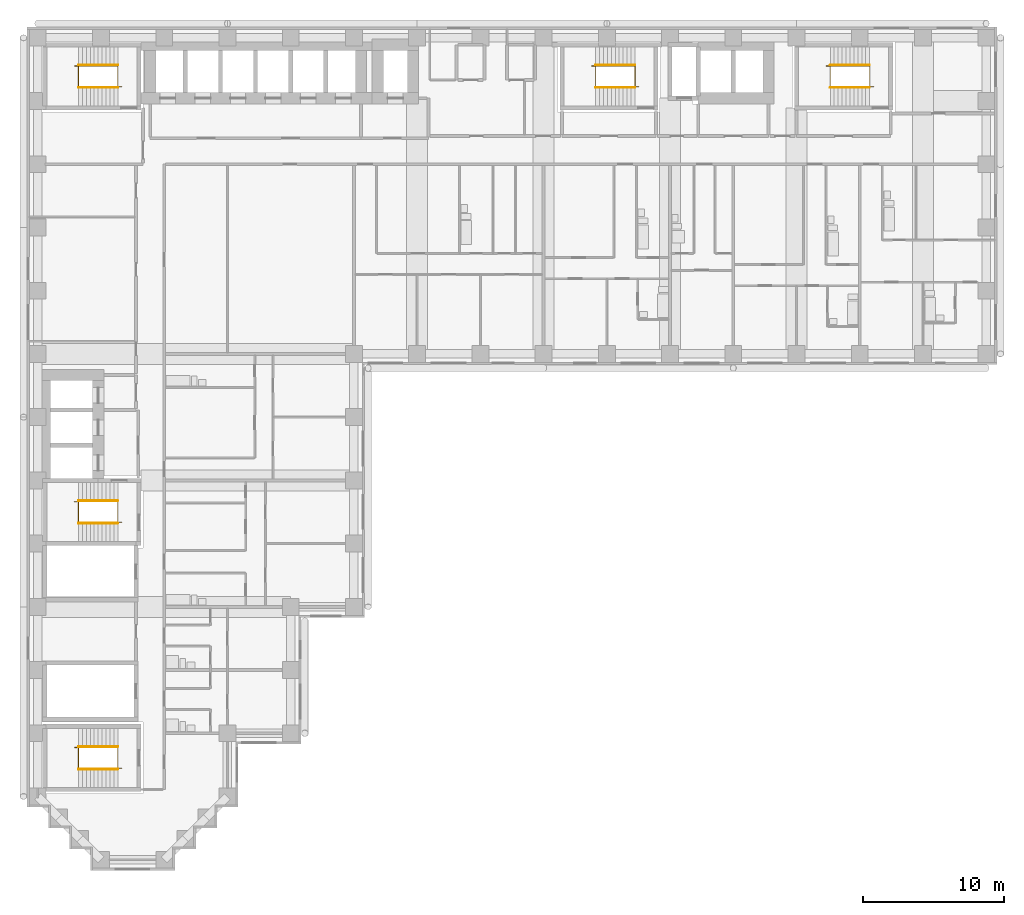
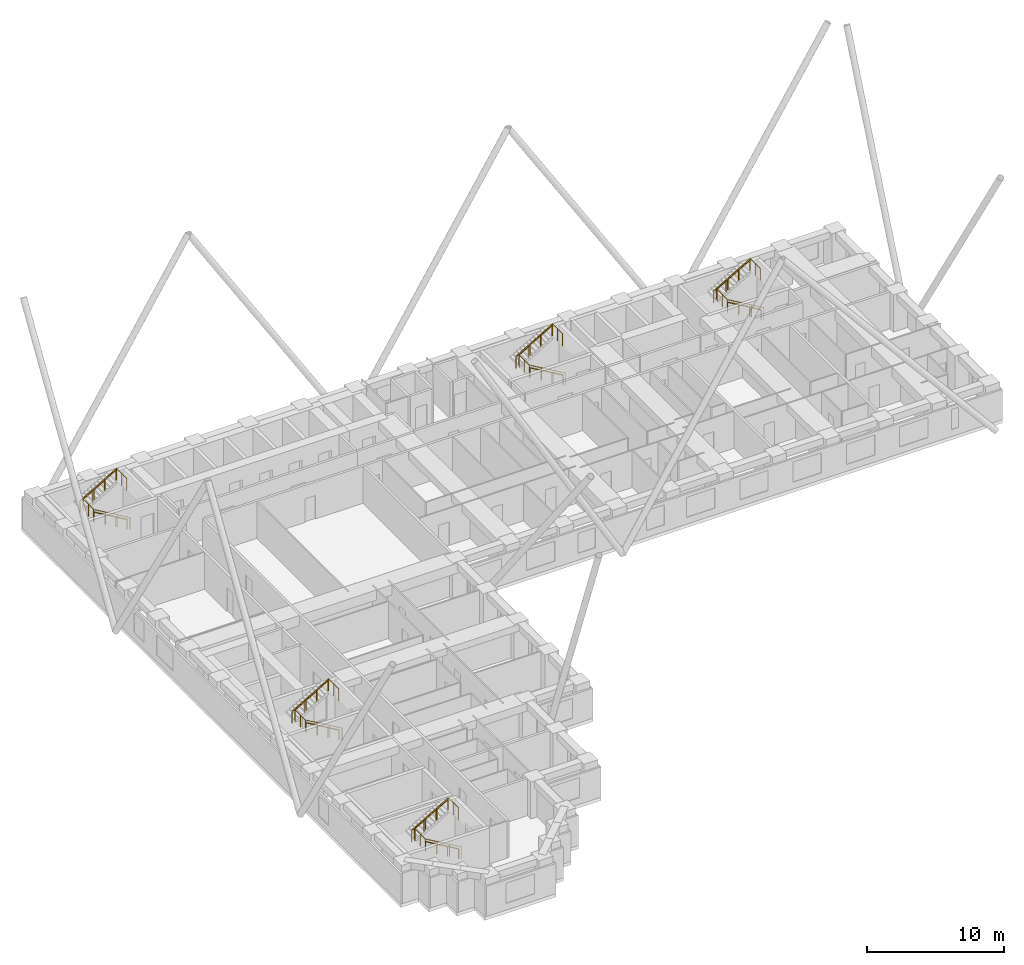
# One storey, part 12 of 13: 15 railings.
"""IFC4 building model written with IfcOpenShell, lengths in metres."""

from ifc_helpers import new_model, si_unit, direction, frame, origin, origin_2d, place, context, subcontext, project, spatial, circle, extrude, material, type_object, element, save


model = new_model("IFC4")

# Units and contexts
model_context = context("Model", 3, precision=1e-05, world=origin(), true_north=direction((0.0, 1.0)))
body_context = subcontext(model_context, "Body", "Model", "MODEL_VIEW")
ifc_project = project(units=[si_unit("LENGTHUNIT", "METRE"), si_unit("AREAUNIT", "SQUARE_METRE"), si_unit("VOLUMEUNIT", "CUBIC_METRE"), si_unit("PLANEANGLEUNIT", "RADIAN"), si_unit("MASSUNIT", "GRAM", prefix="KILO")], contexts=[model_context])

# Site, building, storey
site_placement = place(None, origin())
site = spatial("IfcSite", under=ifc_project, at=site_placement, CompositionType="ELEMENT")
building_placement = place(site_placement, origin())
building = spatial("IfcBuilding", under=site, at=building_placement, Name="Firuza Court", CompositionType="ELEMENT")
storey_placement = place(building_placement, frame((0.0, 0.0, 72.199951171875)))
storey = spatial("IfcBuildingStorey", under=building, at=storey_placement, Name="L17", CompositionType="ELEMENT", Elevation=72.199951171875)

# Railings
ifc_material_1 = material(Name="Steel S355", Category="steel")
railing_type_1 = type_object("IfcRailingType", Name="Handrail 900", PredefinedType="HANDRAIL", material=ifc_material_1)
railing_1_placement = place(storey_placement, frame((42.5, 54.949951171875, 0.16357421875)))
element("IfcRailing", 1, at=railing_1_placement, inside=storey, type_object=railing_type_1, Name="Handrail S1 flight 1", PredefinedType="HANDRAIL", context=body_context, shape_type="SweptSolid", body=[
    extrude(circle(Radius=0.02490234375, at=origin_2d()), frame((0.0, 0.0, 0.875), z_axis=(-0.863360870873, 0.0, 0.504586966384), x_axis=(0.0, -1.0, 0.0)), (0.0, 0.0, 1.0), 3.2431640625),
    extrude(circle(Radius=0.02001953125, at=origin_2d()), origin(), (0.0, 0.0, 1.0), 0.849853515625),
    extrude(circle(Radius=0.02001953125, at=origin_2d()), frame((-0.933349609375, 0.0, 0.54541015625)), (0.0, 0.0, 1.0), 0.849853515625),
    extrude(circle(Radius=0.02001953125, at=origin_2d()), frame((-1.86669921875, 0.0, 1.091064453125)), (0.0, 0.0, 1.0), 0.849853515625),
    extrude(circle(Radius=0.02001953125, at=origin_2d()), frame((-2.800048828125, 0.0, 1.636474609375)), (0.0, 0.0, 1.0), 0.849853515625),
])
railing_2_placement = place(storey_placement, frame((39.699951171875, 56.550048828125, 1.963623046875)))
element("IfcRailing", 2, at=railing_2_placement, inside=storey, type_object=railing_type_1, Name="Handrail S1 flight 2", PredefinedType="HANDRAIL", context=body_context, shape_type="SweptSolid", body=[
    extrude(circle(Radius=0.02490234375, at=origin_2d()), frame((0.0, 0.0, 0.875), z_axis=(0.863360870873, 0.0, 0.504586966384), x_axis=(0.0, 1.0, 0.0)), (0.0, 0.0, 1.0), 3.2431640625),
    extrude(circle(Radius=0.02001953125, at=origin_2d()), origin(), (0.0, 0.0, 1.0), 0.849853515625),
    extrude(circle(Radius=0.02001953125, at=origin_2d()), frame((0.933349609375, 0.0, 0.54541015625)), (0.0, 0.0, 1.0), 0.849853515625),
    extrude(circle(Radius=0.02001953125, at=origin_2d()), frame((1.86669921875, 0.0, 1.091064453125)), (0.0, 0.0, 1.0), 0.849853515625),
    extrude(circle(Radius=0.02001953125, at=origin_2d()), frame((2.800048828125, 0.0, 1.636474609375)), (0.0, 0.0, 1.0), 0.849853515625),
])
railing_3_placement = place(storey_placement, frame((5.699951171875, 23.949951171875, 0.16357421875)))
element("IfcRailing", 3, at=railing_3_placement, inside=storey, type_object=railing_type_1, Name="Handrail S2 flight 1", PredefinedType="HANDRAIL", context=body_context, shape_type="SweptSolid", body=[
    extrude(circle(Radius=0.02490234375, at=origin_2d()), frame((0.0, 0.0, 0.875), z_axis=(-0.863360870873, 0.0, 0.504586966384), x_axis=(0.0, -1.0, 0.0)), (0.0, 0.0, 1.0), 3.2431640625),
    extrude(circle(Radius=0.02001953125, at=origin_2d()), origin(), (0.0, 0.0, 1.0), 0.849853515625),
    extrude(circle(Radius=0.02001953125, at=origin_2d()), frame((-0.933349609375, 0.0, 0.54541015625)), (0.0, 0.0, 1.0), 0.849853515625),
    extrude(circle(Radius=0.02001953125, at=origin_2d()), frame((-1.86669921875, 0.0, 1.091064453125)), (0.0, 0.0, 1.0), 0.849853515625),
    extrude(circle(Radius=0.02001953125, at=origin_2d()), frame((-2.800048828125, 0.0, 1.636474609375)), (0.0, 0.0, 1.0), 0.849853515625),
])
railing_4_placement = place(storey_placement, frame((2.89990234375, 25.550048828125, 1.963623046875)))
element("IfcRailing", 4, at=railing_4_placement, inside=storey, type_object=railing_type_1, Name="Handrail S2 flight 2", PredefinedType="HANDRAIL", context=body_context, shape_type="SweptSolid", body=[
    extrude(circle(Radius=0.02490234375, at=origin_2d()), frame((0.0, 0.0, 0.875), z_axis=(0.863360870873, 0.0, 0.504586966384), x_axis=(0.0, 1.0, 0.0)), (0.0, 0.0, 1.0), 3.2431640625),
    extrude(circle(Radius=0.02001953125, at=origin_2d()), origin(), (0.0, 0.0, 1.0), 0.849853515625),
    extrude(circle(Radius=0.02001953125, at=origin_2d()), frame((0.933349609375, 0.0, 0.54541015625)), (0.0, 0.0, 1.0), 0.849853515625),
    extrude(circle(Radius=0.02001953125, at=origin_2d()), frame((1.86669921875, 0.0, 1.091064453125)), (0.0, 0.0, 1.0), 0.849853515625),
    extrude(circle(Radius=0.02001953125, at=origin_2d()), frame((2.800048828125, 0.0, 1.636474609375)), (0.0, 0.0, 1.0), 0.849853515625),
])
railing_5_placement = place(storey_placement, frame((5.699951171875, 54.949951171875, 0.16357421875)))
element("IfcRailing", 5, at=railing_5_placement, inside=storey, type_object=railing_type_1, Name="Handrail S3 flight 1", PredefinedType="HANDRAIL", context=body_context, shape_type="SweptSolid", body=[
    extrude(circle(Radius=0.02490234375, at=origin_2d()), frame((0.0, 0.0, 0.875), z_axis=(-0.863360870873, 0.0, 0.504586966384), x_axis=(0.0, -1.0, 0.0)), (0.0, 0.0, 1.0), 3.2431640625),
    extrude(circle(Radius=0.02001953125, at=origin_2d()), origin(), (0.0, 0.0, 1.0), 0.849853515625),
    extrude(circle(Radius=0.02001953125, at=origin_2d()), frame((-0.933349609375, 0.0, 0.54541015625)), (0.0, 0.0, 1.0), 0.849853515625),
    extrude(circle(Radius=0.02001953125, at=origin_2d()), frame((-1.86669921875, 0.0, 1.091064453125)), (0.0, 0.0, 1.0), 0.849853515625),
    extrude(circle(Radius=0.02001953125, at=origin_2d()), frame((-2.800048828125, 0.0, 1.636474609375)), (0.0, 0.0, 1.0), 0.849853515625),
])
railing_6_placement = place(storey_placement, frame((2.89990234375, 56.550048828125, 1.963623046875)))
element("IfcRailing", 6, at=railing_6_placement, inside=storey, type_object=railing_type_1, Name="Handrail S3 flight 2", PredefinedType="HANDRAIL", context=body_context, shape_type="SweptSolid", body=[
    extrude(circle(Radius=0.02490234375, at=origin_2d()), frame((0.0, 0.0, 0.875), z_axis=(0.863360870873, 0.0, 0.504586966384), x_axis=(0.0, 1.0, 0.0)), (0.0, 0.0, 1.0), 3.2431640625),
    extrude(circle(Radius=0.02001953125, at=origin_2d()), origin(), (0.0, 0.0, 1.0), 0.849853515625),
    extrude(circle(Radius=0.02001953125, at=origin_2d()), frame((0.933349609375, 0.0, 0.54541015625)), (0.0, 0.0, 1.0), 0.849853515625),
    extrude(circle(Radius=0.02001953125, at=origin_2d()), frame((1.86669921875, 0.0, 1.091064453125)), (0.0, 0.0, 1.0), 0.849853515625),
    extrude(circle(Radius=0.02001953125, at=origin_2d()), frame((2.800048828125, 0.0, 1.636474609375)), (0.0, 0.0, 1.0), 0.849853515625),
])
railing_7_placement = place(storey_placement, frame((59.199951171875, 54.949951171875, 0.16357421875)))
element("IfcRailing", 7, at=railing_7_placement, inside=storey, type_object=railing_type_1, Name="Handrail S4 flight 1", PredefinedType="HANDRAIL", context=body_context, shape_type="SweptSolid", body=[
    extrude(circle(Radius=0.02490234375, at=origin_2d()), frame((0.0, 0.0, 0.875), z_axis=(-0.863360870873, 0.0, 0.504586966384), x_axis=(0.0, -1.0, 0.0)), (0.0, 0.0, 1.0), 3.2431640625),
    extrude(circle(Radius=0.02001953125, at=origin_2d()), origin(), (0.0, 0.0, 1.0), 0.849853515625),
    extrude(circle(Radius=0.02001953125, at=origin_2d()), frame((-0.933349609375, 0.0, 0.54541015625)), (0.0, 0.0, 1.0), 0.849853515625),
    extrude(circle(Radius=0.02001953125, at=origin_2d()), frame((-1.86669921875, 0.0, 1.091064453125)), (0.0, 0.0, 1.0), 0.849853515625),
    extrude(circle(Radius=0.02001953125, at=origin_2d()), frame((-2.800048828125, 0.0, 1.636474609375)), (0.0, 0.0, 1.0), 0.849853515625),
])
railing_8_placement = place(storey_placement, frame((56.39990234375, 56.550048828125, 1.963623046875)))
element("IfcRailing", 8, at=railing_8_placement, inside=storey, type_object=railing_type_1, Name="Handrail S4 flight 2", PredefinedType="HANDRAIL", context=body_context, shape_type="SweptSolid", body=[
    extrude(circle(Radius=0.02490234375, at=origin_2d()), frame((0.0, 0.0, 0.875), z_axis=(0.863360870873, 0.0, 0.504586966384), x_axis=(0.0, 1.0, 0.0)), (0.0, 0.0, 1.0), 3.2431640625),
    extrude(circle(Radius=0.02001953125, at=origin_2d()), origin(), (0.0, 0.0, 1.0), 0.849853515625),
    extrude(circle(Radius=0.02001953125, at=origin_2d()), frame((0.933349609375, 0.0, 0.54541015625)), (0.0, 0.0, 1.0), 0.849853515625),
    extrude(circle(Radius=0.02001953125, at=origin_2d()), frame((1.86669921875, 0.0, 1.091064453125)), (0.0, 0.0, 1.0), 0.849853515625),
    extrude(circle(Radius=0.02001953125, at=origin_2d()), frame((2.800048828125, 0.0, 1.636474609375)), (0.0, 0.0, 1.0), 0.849853515625),
])
railing_9_placement = place(storey_placement, frame((5.699951171875, 6.449951171875, 0.16357421875)))
element("IfcRailing", 9, at=railing_9_placement, inside=storey, type_object=railing_type_1, Name="Handrail S5 flight 1", PredefinedType="HANDRAIL", context=body_context, shape_type="SweptSolid", body=[
    extrude(circle(Radius=0.02490234375, at=origin_2d()), frame((0.0, 0.0, 0.875), z_axis=(-0.863360870873, 0.0, 0.504586966384), x_axis=(0.0, -1.0, 0.0)), (0.0, 0.0, 1.0), 3.2431640625),
    extrude(circle(Radius=0.02001953125, at=origin_2d()), origin(), (0.0, 0.0, 1.0), 0.849853515625),
    extrude(circle(Radius=0.02001953125, at=origin_2d()), frame((-0.933349609375, 0.0, 0.54541015625)), (0.0, 0.0, 1.0), 0.849853515625),
    extrude(circle(Radius=0.02001953125, at=origin_2d()), frame((-1.86669921875, 0.0, 1.091064453125)), (0.0, 0.0, 1.0), 0.849853515625),
    extrude(circle(Radius=0.02001953125, at=origin_2d()), frame((-2.800048828125, 0.0, 1.636474609375)), (0.0, 0.0, 1.0), 0.849853515625),
])
railing_10_placement = place(storey_placement, frame((2.89990234375, 8.050048828125, 1.963623046875)))
element("IfcRailing", 10, at=railing_10_placement, inside=storey, type_object=railing_type_1, Name="Handrail S5 flight 2", PredefinedType="HANDRAIL", context=body_context, shape_type="SweptSolid", body=[
    extrude(circle(Radius=0.02490234375, at=origin_2d()), frame((0.0, 0.0, 0.875), z_axis=(0.863360870873, 0.0, 0.504586966384), x_axis=(0.0, 1.0, 0.0)), (0.0, 0.0, 1.0), 3.2431640625),
    extrude(circle(Radius=0.02001953125, at=origin_2d()), origin(), (0.0, 0.0, 1.0), 0.849853515625),
    extrude(circle(Radius=0.02001953125, at=origin_2d()), frame((0.933349609375, 0.0, 0.54541015625)), (0.0, 0.0, 1.0), 0.849853515625),
    extrude(circle(Radius=0.02001953125, at=origin_2d()), frame((1.86669921875, 0.0, 1.091064453125)), (0.0, 0.0, 1.0), 0.849853515625),
    extrude(circle(Radius=0.02001953125, at=origin_2d()), frame((2.800048828125, 0.0, 1.636474609375)), (0.0, 0.0, 1.0), 0.849853515625),
])
ifc_material_2 = material(Name="Steel S355", Category="steel")
railing_type_2 = type_object("IfcRailingType", Name="Stair guard 1100", PredefinedType="GUARDRAIL", material=ifc_material_2)
railing_11_placement = place(storey_placement, frame((42.780029296875, 55.010009765625, 0.0)))
element("IfcRailing", 11, at=railing_11_placement, inside=storey, type_object=railing_type_2, Name="Stair well guard S1", PredefinedType="GUARDRAIL", context=body_context, shape_type="SweptSolid", body=[
    extrude(circle(Radius=0.02490234375, at=origin_2d()), frame((0.0, 0.0, 1.0751953125), z_axis=(-0.863371556955, 0.0, 0.504568681787), x_axis=(0.0, -1.0, 0.0)), (0.0, 0.0, 1.0), 3.5673828125),
    extrude(circle(Radius=0.02490234375, at=origin_2d()), frame((-3.080078125, 0.0, 2.875), z_axis=(0.0, 1.0, 0.0), x_axis=(-1.0, 0.0, 0.0)), (0.0, 0.0, 1.0), 1.47998046875),
    extrude(circle(Radius=0.02490234375, at=origin_2d()), frame((-3.080078125, 1.47998046875, 2.875), z_axis=(-1.0, 0.0, 0.0), x_axis=(0.0, -1.0, 0.0)), (0.0, 0.0, 1.0), 0.280029296875),
    extrude(circle(Radius=0.02490234375, at=origin_2d()), frame((-3.360107421875, 1.47998046875, 2.875), z_axis=(0.863371556955, 0.0, 0.504568681787), x_axis=(0.0, 1.0, 0.0)), (0.0, 0.0, 1.0), 3.5673828125),
    extrude(circle(Radius=0.02490234375, at=origin_2d()), frame((-0.280029296875, 1.47998046875, 4.67529296875), z_axis=(0.0, -1.0, 0.0), x_axis=(1.0, 0.0, 0.0)), (0.0, 0.0, 1.0), 1.47998046875),
    extrude(circle(Radius=0.02490234375, at=origin_2d()), origin(), (0.0, 0.0, 1.0), 1.050048828125),
    extrude(circle(Radius=0.02490234375, at=origin_2d()), frame((-1.026611328125, 0.0, 0.60009765625)), (0.0, 0.0, 1.0), 1.050048828125),
    extrude(circle(Radius=0.02490234375, at=origin_2d()), frame((-2.053466796875, 0.0, 1.199951171875)), (0.0, 0.0, 1.0), 1.050048828125),
    extrude(circle(Radius=0.02490234375, at=origin_2d()), frame((-3.080078125, 0.0, 1.800048828125)), (0.0, 0.0, 1.0), 1.050048828125),
    extrude(circle(Radius=0.02490234375, at=origin_2d()), frame((-3.080078125, 0.739990234375, 1.800048828125)), (0.0, 0.0, 1.0), 1.050048828125),
    extrude(circle(Radius=0.02490234375, at=origin_2d()), frame((-3.080078125, 1.47998046875, 1.800048828125)), (0.0, 0.0, 1.0), 1.050048828125),
    extrude(circle(Radius=0.02490234375, at=origin_2d()), frame((-3.360107421875, 1.47998046875, 1.800048828125)), (0.0, 0.0, 1.0), 1.050048828125),
    extrude(circle(Radius=0.02490234375, at=origin_2d()), frame((-2.33349609375, 1.47998046875, 2.400146484375)), (0.0, 0.0, 1.0), 1.050048828125),
    extrude(circle(Radius=0.02490234375, at=origin_2d()), frame((-1.306640625, 1.47998046875, 3.0)), (0.0, 0.0, 1.0), 1.050048828125),
    extrude(circle(Radius=0.02490234375, at=origin_2d()), frame((-0.280029296875, 1.47998046875, 3.60009765625)), (0.0, 0.0, 1.0), 1.050048828125),
    extrude(circle(Radius=0.02490234375, at=origin_2d()), frame((-0.280029296875, 0.739990234375, 3.60009765625)), (0.0, 0.0, 1.0), 1.050048828125),
    extrude(circle(Radius=0.02490234375, at=origin_2d()), frame((-0.280029296875, 0.0, 3.60009765625)), (0.0, 0.0, 1.0), 1.050048828125),
])
railing_12_placement = place(storey_placement, frame((5.97998046875, 24.010009765625, 0.0)))
element("IfcRailing", 12, at=railing_12_placement, inside=storey, type_object=railing_type_2, Name="Stair well guard S2", PredefinedType="GUARDRAIL", context=body_context, shape_type="SweptSolid", body=[
    extrude(circle(Radius=0.02490234375, at=origin_2d()), frame((0.0, 0.0, 1.0751953125), z_axis=(-0.863371556955, 0.0, 0.504568681787), x_axis=(0.0, -1.0, 0.0)), (0.0, 0.0, 1.0), 3.5673828125),
    extrude(circle(Radius=0.02490234375, at=origin_2d()), frame((-3.080078125, 0.0, 2.875), z_axis=(0.0, 1.0, 0.0), x_axis=(-1.0, 0.0, 0.0)), (0.0, 0.0, 1.0), 1.47998046875),
    extrude(circle(Radius=0.02490234375, at=origin_2d()), frame((-3.080078125, 1.47998046875, 2.875), z_axis=(-1.0, 0.0, 0.0), x_axis=(0.0, -1.0, 0.0)), (0.0, 0.0, 1.0), 0.27978515625),
    extrude(circle(Radius=0.02490234375, at=origin_2d()), frame((-3.35986328125, 1.47998046875, 2.875), z_axis=(0.863354132664, 0.0, 0.504598495452), x_axis=(0.0, 1.0, 0.0)), (0.0, 0.0, 1.0), 3.5673828125),
    extrude(circle(Radius=0.02490234375, at=origin_2d()), frame((-0.280029296875, 1.47998046875, 4.67529296875), z_axis=(0.0, -1.0, 0.0), x_axis=(1.0, 0.0, 0.0)), (0.0, 0.0, 1.0), 1.47998046875),
    extrude(circle(Radius=0.02490234375, at=origin_2d()), origin(), (0.0, 0.0, 1.0), 1.050048828125),
    extrude(circle(Radius=0.02490234375, at=origin_2d()), frame((-1.026611328125, 0.0, 0.60009765625)), (0.0, 0.0, 1.0), 1.050048828125),
    extrude(circle(Radius=0.02490234375, at=origin_2d()), frame((-2.053466796875, 0.0, 1.199951171875)), (0.0, 0.0, 1.0), 1.050048828125),
    extrude(circle(Radius=0.02490234375, at=origin_2d()), frame((-3.080078125, 0.0, 1.800048828125)), (0.0, 0.0, 1.0), 1.050048828125),
    extrude(circle(Radius=0.02490234375, at=origin_2d()), frame((-3.080078125, 0.739990234375, 1.800048828125)), (0.0, 0.0, 1.0), 1.050048828125),
    extrude(circle(Radius=0.02490234375, at=origin_2d()), frame((-3.080078125, 1.47998046875, 1.800048828125)), (0.0, 0.0, 1.0), 1.050048828125),
    extrude(circle(Radius=0.02490234375, at=origin_2d()), frame((-3.35986328125, 1.47998046875, 1.800048828125)), (0.0, 0.0, 1.0), 1.050048828125),
    extrude(circle(Radius=0.02490234375, at=origin_2d()), frame((-2.333251953125, 1.47998046875, 2.400146484375)), (0.0, 0.0, 1.0), 1.050048828125),
    extrude(circle(Radius=0.02490234375, at=origin_2d()), frame((-1.306640625, 1.47998046875, 3.0)), (0.0, 0.0, 1.0), 1.050048828125),
    extrude(circle(Radius=0.02490234375, at=origin_2d()), frame((-0.280029296875, 1.47998046875, 3.60009765625)), (0.0, 0.0, 1.0), 1.050048828125),
    extrude(circle(Radius=0.02490234375, at=origin_2d()), frame((-0.280029296875, 0.739990234375, 3.60009765625)), (0.0, 0.0, 1.0), 1.050048828125),
    extrude(circle(Radius=0.02490234375, at=origin_2d()), frame((-0.280029296875, 0.0, 3.60009765625)), (0.0, 0.0, 1.0), 1.050048828125),
])
railing_13_placement = place(storey_placement, frame((5.97998046875, 55.010009765625, 0.0)))
element("IfcRailing", 13, at=railing_13_placement, inside=storey, type_object=railing_type_2, Name="Stair well guard S3", PredefinedType="GUARDRAIL", context=body_context, shape_type="SweptSolid", body=[
    extrude(circle(Radius=0.02490234375, at=origin_2d()), frame((0.0, 0.0, 1.0751953125), z_axis=(-0.863371556955, 0.0, 0.504568681787), x_axis=(0.0, -1.0, 0.0)), (0.0, 0.0, 1.0), 3.5673828125),
    extrude(circle(Radius=0.02490234375, at=origin_2d()), frame((-3.080078125, 0.0, 2.875), z_axis=(0.0, 1.0, 0.0), x_axis=(-1.0, 0.0, 0.0)), (0.0, 0.0, 1.0), 1.47998046875),
    extrude(circle(Radius=0.02490234375, at=origin_2d()), frame((-3.080078125, 1.47998046875, 2.875), z_axis=(-1.0, 0.0, 0.0), x_axis=(0.0, -1.0, 0.0)), (0.0, 0.0, 1.0), 0.27978515625),
    extrude(circle(Radius=0.02490234375, at=origin_2d()), frame((-3.35986328125, 1.47998046875, 2.875), z_axis=(0.863354132664, 0.0, 0.504598495452), x_axis=(0.0, 1.0, 0.0)), (0.0, 0.0, 1.0), 3.5673828125),
    extrude(circle(Radius=0.02490234375, at=origin_2d()), frame((-0.280029296875, 1.47998046875, 4.67529296875), z_axis=(0.0, -1.0, 0.0), x_axis=(1.0, 0.0, 0.0)), (0.0, 0.0, 1.0), 1.47998046875),
    extrude(circle(Radius=0.02490234375, at=origin_2d()), origin(), (0.0, 0.0, 1.0), 1.050048828125),
    extrude(circle(Radius=0.02490234375, at=origin_2d()), frame((-1.026611328125, 0.0, 0.60009765625)), (0.0, 0.0, 1.0), 1.050048828125),
    extrude(circle(Radius=0.02490234375, at=origin_2d()), frame((-2.053466796875, 0.0, 1.199951171875)), (0.0, 0.0, 1.0), 1.050048828125),
    extrude(circle(Radius=0.02490234375, at=origin_2d()), frame((-3.080078125, 0.0, 1.800048828125)), (0.0, 0.0, 1.0), 1.050048828125),
    extrude(circle(Radius=0.02490234375, at=origin_2d()), frame((-3.080078125, 0.739990234375, 1.800048828125)), (0.0, 0.0, 1.0), 1.050048828125),
    extrude(circle(Radius=0.02490234375, at=origin_2d()), frame((-3.080078125, 1.47998046875, 1.800048828125)), (0.0, 0.0, 1.0), 1.050048828125),
    extrude(circle(Radius=0.02490234375, at=origin_2d()), frame((-3.35986328125, 1.47998046875, 1.800048828125)), (0.0, 0.0, 1.0), 1.050048828125),
    extrude(circle(Radius=0.02490234375, at=origin_2d()), frame((-2.333251953125, 1.47998046875, 2.400146484375)), (0.0, 0.0, 1.0), 1.050048828125),
    extrude(circle(Radius=0.02490234375, at=origin_2d()), frame((-1.306640625, 1.47998046875, 3.0)), (0.0, 0.0, 1.0), 1.050048828125),
    extrude(circle(Radius=0.02490234375, at=origin_2d()), frame((-0.280029296875, 1.47998046875, 3.60009765625)), (0.0, 0.0, 1.0), 1.050048828125),
    extrude(circle(Radius=0.02490234375, at=origin_2d()), frame((-0.280029296875, 0.739990234375, 3.60009765625)), (0.0, 0.0, 1.0), 1.050048828125),
    extrude(circle(Radius=0.02490234375, at=origin_2d()), frame((-0.280029296875, 0.0, 3.60009765625)), (0.0, 0.0, 1.0), 1.050048828125),
])
railing_14_placement = place(storey_placement, frame((59.47998046875, 55.010009765625, 0.0)))
element("IfcRailing", 14, at=railing_14_placement, inside=storey, type_object=railing_type_2, Name="Stair well guard S4", PredefinedType="GUARDRAIL", context=body_context, shape_type="SweptSolid", body=[
    extrude(circle(Radius=0.02490234375, at=origin_2d()), frame((0.0, 0.0, 1.0751953125), z_axis=(-0.863371556955, 0.0, 0.504568681787), x_axis=(0.0, -1.0, 0.0)), (0.0, 0.0, 1.0), 3.5673828125),
    extrude(circle(Radius=0.02490234375, at=origin_2d()), frame((-3.080078125, 0.0, 2.875), z_axis=(0.0, 1.0, 0.0), x_axis=(-1.0, 0.0, 0.0)), (0.0, 0.0, 1.0), 1.47998046875),
    extrude(circle(Radius=0.02490234375, at=origin_2d()), frame((-3.080078125, 1.47998046875, 2.875), z_axis=(-1.0, 0.0, 0.0), x_axis=(0.0, -1.0, 0.0)), (0.0, 0.0, 1.0), 0.27978515625),
    extrude(circle(Radius=0.02490234375, at=origin_2d()), frame((-3.35986328125, 1.47998046875, 2.875), z_axis=(0.863354132664, 0.0, 0.504598495452), x_axis=(0.0, 1.0, 0.0)), (0.0, 0.0, 1.0), 3.5673828125),
    extrude(circle(Radius=0.02490234375, at=origin_2d()), frame((-0.280029296875, 1.47998046875, 4.67529296875), z_axis=(0.0, -1.0, 0.0), x_axis=(1.0, 0.0, 0.0)), (0.0, 0.0, 1.0), 1.47998046875),
    extrude(circle(Radius=0.02490234375, at=origin_2d()), origin(), (0.0, 0.0, 1.0), 1.050048828125),
    extrude(circle(Radius=0.02490234375, at=origin_2d()), frame((-1.026611328125, 0.0, 0.60009765625)), (0.0, 0.0, 1.0), 1.050048828125),
    extrude(circle(Radius=0.02490234375, at=origin_2d()), frame((-2.053466796875, 0.0, 1.199951171875)), (0.0, 0.0, 1.0), 1.050048828125),
    extrude(circle(Radius=0.02490234375, at=origin_2d()), frame((-3.080078125, 0.0, 1.800048828125)), (0.0, 0.0, 1.0), 1.050048828125),
    extrude(circle(Radius=0.02490234375, at=origin_2d()), frame((-3.080078125, 0.739990234375, 1.800048828125)), (0.0, 0.0, 1.0), 1.050048828125),
    extrude(circle(Radius=0.02490234375, at=origin_2d()), frame((-3.080078125, 1.47998046875, 1.800048828125)), (0.0, 0.0, 1.0), 1.050048828125),
    extrude(circle(Radius=0.02490234375, at=origin_2d()), frame((-3.35986328125, 1.47998046875, 1.800048828125)), (0.0, 0.0, 1.0), 1.050048828125),
    extrude(circle(Radius=0.02490234375, at=origin_2d()), frame((-2.333251953125, 1.47998046875, 2.400146484375)), (0.0, 0.0, 1.0), 1.050048828125),
    extrude(circle(Radius=0.02490234375, at=origin_2d()), frame((-1.306640625, 1.47998046875, 3.0)), (0.0, 0.0, 1.0), 1.050048828125),
    extrude(circle(Radius=0.02490234375, at=origin_2d()), frame((-0.280029296875, 1.47998046875, 3.60009765625)), (0.0, 0.0, 1.0), 1.050048828125),
    extrude(circle(Radius=0.02490234375, at=origin_2d()), frame((-0.280029296875, 0.739990234375, 3.60009765625)), (0.0, 0.0, 1.0), 1.050048828125),
    extrude(circle(Radius=0.02490234375, at=origin_2d()), frame((-0.280029296875, 0.0, 3.60009765625)), (0.0, 0.0, 1.0), 1.050048828125),
])
railing_15_placement = place(storey_placement, frame((5.97998046875, 6.510009765625, 0.0)))
element("IfcRailing", 15, at=railing_15_placement, inside=storey, type_object=railing_type_2, Name="Stair well guard S5", PredefinedType="GUARDRAIL", context=body_context, shape_type="SweptSolid", body=[
    extrude(circle(Radius=0.02490234375, at=origin_2d()), frame((0.0, 0.0, 1.0751953125), z_axis=(-0.863371556955, 0.0, 0.504568681787), x_axis=(0.0, -1.0, 0.0)), (0.0, 0.0, 1.0), 3.5673828125),
    extrude(circle(Radius=0.02490234375, at=origin_2d()), frame((-3.080078125, 0.0, 2.875), z_axis=(0.0, 1.0, 0.0), x_axis=(-1.0, 0.0, 0.0)), (0.0, 0.0, 1.0), 1.47998046875),
    extrude(circle(Radius=0.02490234375, at=origin_2d()), frame((-3.080078125, 1.47998046875, 2.875), z_axis=(-1.0, 0.0, 0.0), x_axis=(0.0, -1.0, 0.0)), (0.0, 0.0, 1.0), 0.27978515625),
    extrude(circle(Radius=0.02490234375, at=origin_2d()), frame((-3.35986328125, 1.47998046875, 2.875), z_axis=(0.863354132664, 0.0, 0.504598495452), x_axis=(0.0, 1.0, 0.0)), (0.0, 0.0, 1.0), 3.5673828125),
    extrude(circle(Radius=0.02490234375, at=origin_2d()), frame((-0.280029296875, 1.47998046875, 4.67529296875), z_axis=(0.0, -1.0, 0.0), x_axis=(1.0, 0.0, 0.0)), (0.0, 0.0, 1.0), 1.47998046875),
    extrude(circle(Radius=0.02490234375, at=origin_2d()), origin(), (0.0, 0.0, 1.0), 1.050048828125),
    extrude(circle(Radius=0.02490234375, at=origin_2d()), frame((-1.026611328125, 0.0, 0.60009765625)), (0.0, 0.0, 1.0), 1.050048828125),
    extrude(circle(Radius=0.02490234375, at=origin_2d()), frame((-2.053466796875, 0.0, 1.199951171875)), (0.0, 0.0, 1.0), 1.050048828125),
    extrude(circle(Radius=0.02490234375, at=origin_2d()), frame((-3.080078125, 0.0, 1.800048828125)), (0.0, 0.0, 1.0), 1.050048828125),
    extrude(circle(Radius=0.02490234375, at=origin_2d()), frame((-3.080078125, 0.739990234375, 1.800048828125)), (0.0, 0.0, 1.0), 1.050048828125),
    extrude(circle(Radius=0.02490234375, at=origin_2d()), frame((-3.080078125, 1.47998046875, 1.800048828125)), (0.0, 0.0, 1.0), 1.050048828125),
    extrude(circle(Radius=0.02490234375, at=origin_2d()), frame((-3.35986328125, 1.47998046875, 1.800048828125)), (0.0, 0.0, 1.0), 1.050048828125),
    extrude(circle(Radius=0.02490234375, at=origin_2d()), frame((-2.333251953125, 1.47998046875, 2.400146484375)), (0.0, 0.0, 1.0), 1.050048828125),
    extrude(circle(Radius=0.02490234375, at=origin_2d()), frame((-1.306640625, 1.47998046875, 3.0)), (0.0, 0.0, 1.0), 1.050048828125),
    extrude(circle(Radius=0.02490234375, at=origin_2d()), frame((-0.280029296875, 1.47998046875, 3.60009765625)), (0.0, 0.0, 1.0), 1.050048828125),
    extrude(circle(Radius=0.02490234375, at=origin_2d()), frame((-0.280029296875, 0.739990234375, 3.60009765625)), (0.0, 0.0, 1.0), 1.050048828125),
    extrude(circle(Radius=0.02490234375, at=origin_2d()), frame((-0.280029296875, 0.0, 3.60009765625)), (0.0, 0.0, 1.0), 1.050048828125),
])

save(model, "model.ifc")
